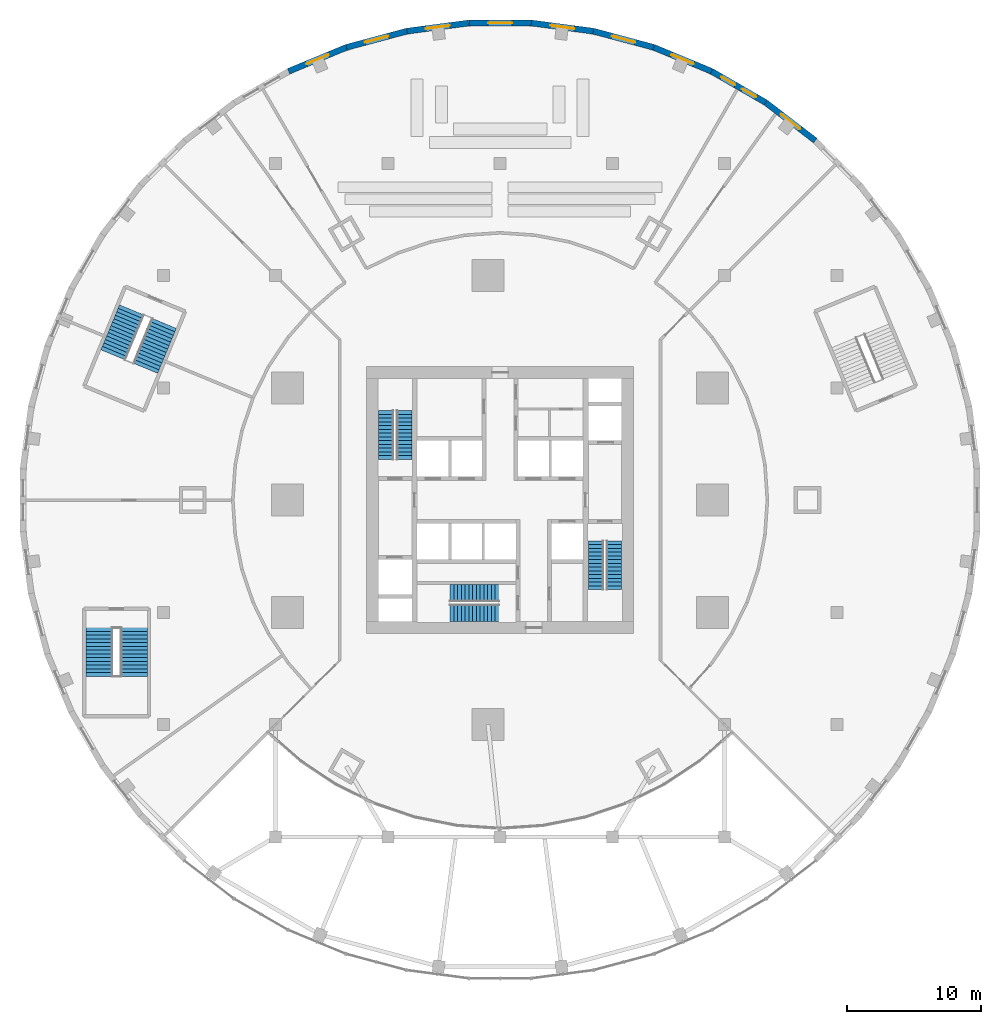
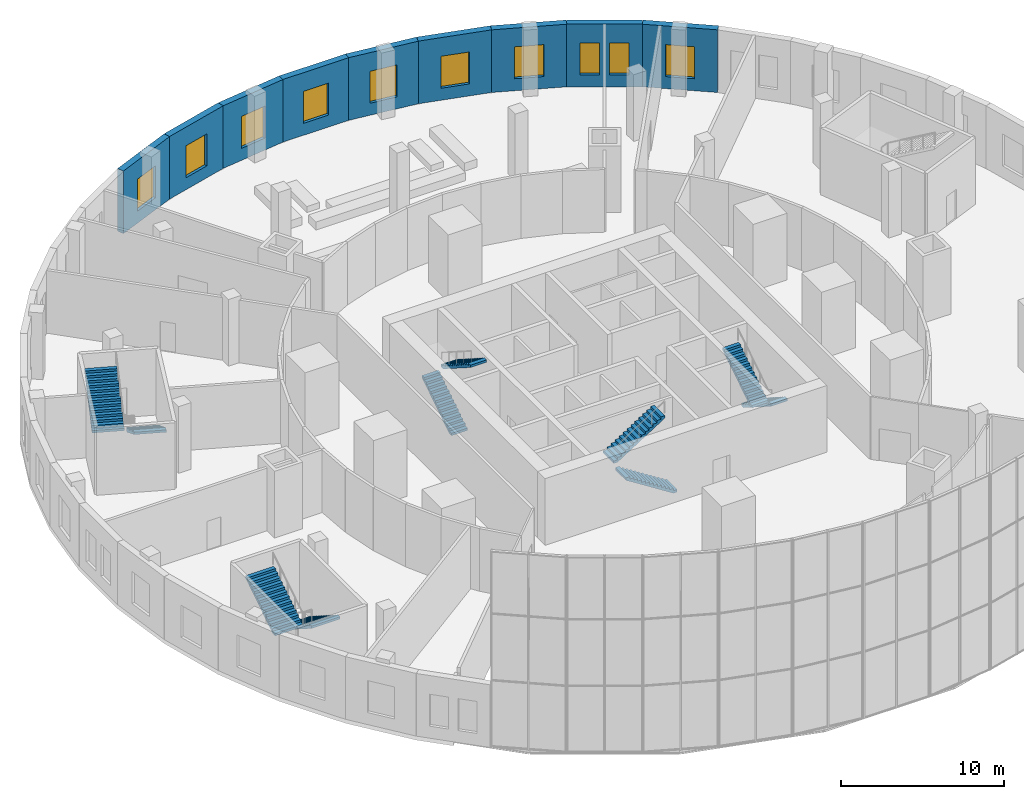
# One storey, part 12 of 17: 10 stair flights, 10 windows, 9 walls, 10 openings, 5 elements without a shape of their own.
"""IFC4 building model written with IfcOpenShell, lengths in metres."""

from ifc_helpers import new_model, si_unit, direction, frame, frame_2d, origin, place, context, subcontext, project, spatial, polyline, rectangle, outline, extrude, material, layer, layer_set, type_object, element, fill, aggregate, save


model = new_model("IFC4")

# Units and contexts
model_context = context("Model", 3, precision=1e-05, world=origin(), true_north=direction((0.0, 1.0)))
body_context = subcontext(model_context, "Body", "Model", "MODEL_VIEW")
ifc_project = project(units=[si_unit("LENGTHUNIT", "METRE"), si_unit("AREAUNIT", "SQUARE_METRE"), si_unit("VOLUMEUNIT", "CUBIC_METRE"), si_unit("PLANEANGLEUNIT", "RADIAN"), si_unit("MASSUNIT", "GRAM", prefix="KILO")], contexts=[model_context])

# Site, building, storey
site_placement = place(None, origin())
site = spatial("IfcSite", under=ifc_project, at=site_placement, CompositionType="ELEMENT")
building_placement = place(site_placement, origin())
building = spatial("IfcBuilding", under=site, at=building_placement, Name="Golbaran Civic Tower", CompositionType="ELEMENT")
storey_placement = place(building_placement, frame((0.0, 0.0, 6.0)))
storey = spatial("IfcBuildingStorey", under=building, at=storey_placement, Name="L01", CompositionType="ELEMENT", Elevation=6.0)

# Wall, opening, window
ifc_material_1 = material(Name="Terracotta brick", Category="masonry")
ifc_layer = layer(ifc_material_1, 0.449951171875, Name="Terracotta brick")
ifc_layer_set = layer_set([ifc_layer], Name="Terracotta brick")
wall_type = type_object("IfcWallType", Name="TERRACOTTA BRICK FACADE WALL 450", PredefinedType="SOLIDWALL", material=ifc_layer_set)
wall_1_placement = place(storey_placement, frame((23.588134765625, 26.89697265625, 0.0), z_axis=(0.0, 0.0, 1.0), x_axis=(-0.79334682721, 0.608769916927, 0.0)))
wall_1 = element("IfcWall", 1, at=wall_1_placement, inside=storey, type_object=wall_type, Name="Podium wall L01 facet 7", PredefinedType="SOLIDWALL", context=body_context, shape_type="SweptSolid", body=[
    extrude(rectangle(XDim=4.6796875, YDim=0.449951171875, at=frame_2d((2.33984375, 0.0))), origin(), (0.0, 0.0, 1.0), 4.699951171875),
])
opening_1_placement = place(wall_1_placement, frame((1.439697265625, 0.0, 0.89990234375)))
opening_1 = element("IfcOpeningElement", 2, at=opening_1_placement, cuts=wall_1, Name="Opening L01.W08", PredefinedType="OPENING", context=body_context, shape_type="SweptSolid", body=[
    extrude(rectangle(XDim=1.800048828125, YDim=2.39990234375, at=frame_2d((0.89990234375, 1.199951171875))), frame((0.0, 0.23486328125, 0.0), z_axis=(0.0, -1.0, 0.0), x_axis=(1.0, 0.0, 0.0)), (0.0, 0.0, 1.0), 0.469970703125),
])
ifc_material_2 = material(Name="Aluminium frame, clear glass", Category="aluminium")
window_type_1 = type_object("IfcWindowType", Name="PODIUM WINDOW 1800x2400", PartitioningType="SINGLE_PANEL", PredefinedType="WINDOW", material=ifc_material_2)
window_1_placement = place(opening_1_placement, origin())
window_1 = element("IfcWindow", 3, at=window_1_placement, inside=storey, type_object=window_type_1, Name="Podium window L01 facet 7", OverallHeight=2.39990234375, OverallWidth=1.800048828125, PartitioningType="SINGLE_PANEL", PredefinedType="WINDOW", context=body_context, shape_type="SweptSolid", body=[
    extrude(rectangle(XDim=1.800048828125, YDim=2.39990234375, at=frame_2d((0.89990234375, 1.199951171875))), frame((0.0, 0.030029296875, 0.0), z_axis=(0.0, -1.0, 0.0), x_axis=(1.0, 0.0, 0.0)), (0.0, 0.0, 1.0), 0.06005859375),
])
fill(opening_1, window_1)

# Wall, openings, windows
wall_2_placement = place(storey_placement, frame((19.87548828125, 29.745849609375, 0.0), z_axis=(0.0, 0.0, 1.0), x_axis=(-0.866012687223, 0.500022025083, 0.0)))
wall_2 = element("IfcWall", 4, at=wall_2_placement, inside=storey, type_object=wall_type, Name="Podium wall L01 facet 8", PredefinedType="SOLIDWALL", context=body_context, shape_type="SweptSolid", body=[
    extrude(rectangle(XDim=4.679443359375, YDim=0.449951171875, at=frame_2d((2.33984375, 0.0))), origin(), (0.0, 0.0, 1.0), 4.699951171875),
])
opening_2_placement = place(wall_2_placement, frame((0.840087890625, 0.0, 0.89990234375)))
opening_2 = element("IfcOpeningElement", 5, at=opening_2_placement, cuts=wall_2, Name="Opening L01.W09", PredefinedType="OPENING", context=body_context, shape_type="SweptSolid", body=[
    extrude(rectangle(XDim=1.199951171875, YDim=2.39990234375, at=frame_2d((0.60009765625, 1.199951171875))), frame((0.0, 0.23486328125, 0.0), z_axis=(0.0, -1.0, 0.0), x_axis=(1.0, 0.0, 0.0)), (0.0, 0.0, 1.0), 0.469970703125),
])
opening_3_placement = place(wall_2_placement, frame((2.639892578125, 0.0, 0.89990234375)))
opening_3 = element("IfcOpeningElement", 6, at=opening_3_placement, cuts=wall_2, Name="Opening L01.W10", PredefinedType="OPENING", context=body_context, shape_type="SweptSolid", body=[
    extrude(rectangle(XDim=1.199951171875, YDim=2.39990234375, at=frame_2d((0.60009765625, 1.199951171875))), frame((0.0, 0.23486328125, 0.0), z_axis=(0.0, -1.0, 0.0), x_axis=(1.0, 0.0, 0.0)), (0.0, 0.0, 1.0), 0.469970703125),
])
window_type_2 = type_object("IfcWindowType", Name="PODIUM PAIRED WINDOW 1200x2400", PartitioningType="SINGLE_PANEL", PredefinedType="WINDOW", material=ifc_material_2)
window_2_placement = place(opening_2_placement, origin())
window_2 = element("IfcWindow", 7, at=window_2_placement, inside=storey, type_object=window_type_2, Name="Podium window L01 facet 8a", OverallHeight=2.39990234375, OverallWidth=1.199951171875, PartitioningType="SINGLE_PANEL", PredefinedType="WINDOW", context=body_context, shape_type="SweptSolid", body=[
    extrude(rectangle(XDim=1.199951171875, YDim=2.39990234375, at=frame_2d((0.60009765625, 1.199951171875))), frame((0.0, 0.030029296875, 0.0), z_axis=(0.0, -1.0, 0.0), x_axis=(1.0, 0.0, 0.0)), (0.0, 0.0, 1.0), 0.06005859375),
])
fill(opening_2, window_2)
window_3_placement = place(opening_3_placement, origin())
window_3 = element("IfcWindow", 8, at=window_3_placement, inside=storey, type_object=window_type_2, Name="Podium window L01 facet 8b", OverallHeight=2.39990234375, OverallWidth=1.199951171875, PartitioningType="SINGLE_PANEL", PredefinedType="WINDOW", context=body_context, shape_type="SweptSolid", body=[
    extrude(rectangle(XDim=1.199951171875, YDim=2.39990234375, at=frame_2d((0.60009765625, 1.199951171875))), frame((0.0, 0.030029296875, 0.0), z_axis=(0.0, -1.0, 0.0), x_axis=(1.0, 0.0, 0.0)), (0.0, 0.0, 1.0), 0.06005859375),
])
fill(opening_3, window_3)

# Wall, opening, window
wall_3_placement = place(storey_placement, frame((15.822998046875, 32.085693359375, 0.0), z_axis=(0.0, 0.0, 1.0), x_axis=(-0.923885213032, 0.382669718086, 0.0)))
wall_3 = element("IfcWall", 9, at=wall_3_placement, inside=storey, type_object=wall_type, Name="Podium wall L01 facet 9", PredefinedType="SOLIDWALL", context=body_context, shape_type="SweptSolid", body=[
    extrude(rectangle(XDim=4.6796875, YDim=0.449951171875, at=frame_2d((2.33984375, 0.0))), origin(), (0.0, 0.0, 1.0), 4.699951171875),
])
opening_4_placement = place(wall_3_placement, frame((1.439697265625, 0.0, 0.89990234375)))
opening_4 = element("IfcOpeningElement", 10, at=opening_4_placement, cuts=wall_3, Name="Opening L01.W11", PredefinedType="OPENING", context=body_context, shape_type="SweptSolid", body=[
    extrude(rectangle(XDim=1.800048828125, YDim=2.39990234375, at=frame_2d((0.89990234375, 1.199951171875))), frame((0.0, 0.23486328125, 0.0), z_axis=(0.0, -1.0, 0.0), x_axis=(1.0, 0.0, 0.0)), (0.0, 0.0, 1.0), 0.469970703125),
])
window_4_placement = place(opening_4_placement, origin())
window_4 = element("IfcWindow", 11, at=window_4_placement, inside=storey, type_object=window_type_1, Name="Podium window L01 facet 9", OverallHeight=2.39990234375, OverallWidth=1.800048828125, PartitioningType="SINGLE_PANEL", PredefinedType="WINDOW", context=body_context, shape_type="SweptSolid", body=[
    extrude(rectangle(XDim=1.800048828125, YDim=2.39990234375, at=frame_2d((0.89990234375, 1.199951171875))), frame((0.0, 0.030029296875, 0.0), z_axis=(0.0, -1.0, 0.0), x_axis=(1.0, 0.0, 0.0)), (0.0, 0.0, 1.0), 0.06005859375),
])
fill(opening_4, window_4)

wall_4_placement = place(storey_placement, frame((11.49951171875, 33.87646484375, 0.0), z_axis=(0.0, 0.0, 1.0), x_axis=(-0.965926860523, 0.258815185258, 0.0)))
wall_4 = element("IfcWall", 12, at=wall_4_placement, inside=storey, type_object=wall_type, Name="Podium wall L01 facet 10", PredefinedType="SOLIDWALL", context=body_context, shape_type="SweptSolid", body=[
    extrude(rectangle(XDim=4.6796875, YDim=0.449951171875, at=frame_2d((2.33984375, 0.0))), origin(), (0.0, 0.0, 1.0), 4.699951171875),
])
opening_5_placement = place(wall_4_placement, frame((1.439697265625, 0.0, 0.89990234375)))
opening_5 = element("IfcOpeningElement", 13, at=opening_5_placement, cuts=wall_4, Name="Opening L01.W12", PredefinedType="OPENING", context=body_context, shape_type="SweptSolid", body=[
    extrude(rectangle(XDim=1.800048828125, YDim=2.39990234375, at=frame_2d((0.89990234375, 1.199951171875))), frame((0.0, 0.23486328125, 0.0), z_axis=(0.0, -1.0, 0.0), x_axis=(1.0, 0.0, 0.0)), (0.0, 0.0, 1.0), 0.469970703125),
])
window_5_placement = place(opening_5_placement, origin())
window_5 = element("IfcWindow", 14, at=window_5_placement, inside=storey, type_object=window_type_1, Name="Podium window L01 facet 10", OverallHeight=2.39990234375, OverallWidth=1.800048828125, PartitioningType="SINGLE_PANEL", PredefinedType="WINDOW", context=body_context, shape_type="SweptSolid", body=[
    extrude(rectangle(XDim=1.800048828125, YDim=2.39990234375, at=frame_2d((0.89990234375, 1.199951171875))), frame((0.0, 0.030029296875, 0.0), z_axis=(0.0, -1.0, 0.0), x_axis=(1.0, 0.0, 0.0)), (0.0, 0.0, 1.0), 0.06005859375),
])
fill(opening_5, window_5)

wall_5_placement = place(storey_placement, frame((6.979248046875, 35.087646484375, 0.0), z_axis=(0.0, 0.0, 1.0), x_axis=(-0.991443459746, 0.130536838198, 0.0)))
wall_5 = element("IfcWall", 15, at=wall_5_placement, inside=storey, type_object=wall_type, Name="Podium wall L01 facet 11", PredefinedType="SOLIDWALL", context=body_context, shape_type="SweptSolid", body=[
    extrude(rectangle(XDim=4.679443359375, YDim=0.449951171875, at=frame_2d((2.33984375, 0.0))), origin(), (0.0, 0.0, 1.0), 4.699951171875),
])
opening_6_placement = place(wall_5_placement, frame((1.439697265625, 0.0, 0.89990234375)))
opening_6 = element("IfcOpeningElement", 16, at=opening_6_placement, cuts=wall_5, Name="Opening L01.W13", PredefinedType="OPENING", context=body_context, shape_type="SweptSolid", body=[
    extrude(rectangle(XDim=1.800048828125, YDim=2.39990234375, at=frame_2d((0.89990234375, 1.199951171875))), frame((0.0, 0.23486328125, 0.0), z_axis=(0.0, -1.0, 0.0), x_axis=(1.0, 0.0, 0.0)), (0.0, 0.0, 1.0), 0.469970703125),
])
window_6_placement = place(opening_6_placement, origin())
window_6 = element("IfcWindow", 17, at=window_6_placement, inside=storey, type_object=window_type_1, Name="Podium window L01 facet 11", OverallHeight=2.39990234375, OverallWidth=1.800048828125, PartitioningType="SINGLE_PANEL", PredefinedType="WINDOW", context=body_context, shape_type="SweptSolid", body=[
    extrude(rectangle(XDim=1.800048828125, YDim=2.39990234375, at=frame_2d((0.89990234375, 1.199951171875))), frame((0.0, 0.030029296875, 0.0), z_axis=(0.0, -1.0, 0.0), x_axis=(1.0, 0.0, 0.0)), (0.0, 0.0, 1.0), 0.06005859375),
])
fill(opening_6, window_6)

wall_6_placement = place(storey_placement, frame((2.33984375, 35.698486328125, 0.0), z_axis=(0.0, 0.0, 1.0), x_axis=(-1.0, 0.0, 0.0)))
wall_6 = element("IfcWall", 18, at=wall_6_placement, inside=storey, type_object=wall_type, Name="Podium wall L01 facet 12", PredefinedType="SOLIDWALL", context=body_context, shape_type="SweptSolid", body=[
    extrude(rectangle(XDim=4.6796875, YDim=0.449951171875, at=frame_2d((2.33984375, 0.0))), origin(), (0.0, 0.0, 1.0), 4.699951171875),
])
opening_7_placement = place(wall_6_placement, frame((1.439697265625, 0.0, 0.89990234375)))
opening_7 = element("IfcOpeningElement", 19, at=opening_7_placement, cuts=wall_6, Name="Opening L01.W14", PredefinedType="OPENING", context=body_context, shape_type="SweptSolid", body=[
    extrude(rectangle(XDim=1.800048828125, YDim=2.39990234375, at=frame_2d((0.89990234375, 1.199951171875))), frame((0.0, 0.23486328125, 0.0), z_axis=(0.0, -1.0, 0.0), x_axis=(1.0, 0.0, 0.0)), (0.0, 0.0, 1.0), 0.469970703125),
])
window_7_placement = place(opening_7_placement, origin())
window_7 = element("IfcWindow", 20, at=window_7_placement, inside=storey, type_object=window_type_1, Name="Podium window L01 facet 12", OverallHeight=2.39990234375, OverallWidth=1.800048828125, PartitioningType="SINGLE_PANEL", PredefinedType="WINDOW", context=body_context, shape_type="SweptSolid", body=[
    extrude(rectangle(XDim=1.800048828125, YDim=2.39990234375, at=frame_2d((0.89990234375, 1.199951171875))), frame((0.0, 0.030029296875, 0.0), z_axis=(0.0, -1.0, 0.0), x_axis=(1.0, 0.0, 0.0)), (0.0, 0.0, 1.0), 0.06005859375),
])
fill(opening_7, window_7)

wall_7_placement = place(storey_placement, frame((-2.33984375, 35.698486328125, 0.0), z_axis=(0.0, 0.0, 1.0), x_axis=(-0.991443459746, -0.130536838198, 0.0)))
wall_7 = element("IfcWall", 21, at=wall_7_placement, inside=storey, type_object=wall_type, Name="Podium wall L01 facet 13", PredefinedType="SOLIDWALL", context=body_context, shape_type="SweptSolid", body=[
    extrude(rectangle(XDim=4.679443359375, YDim=0.449951171875, at=frame_2d((2.33984375, 0.0))), origin(), (0.0, 0.0, 1.0), 4.699951171875),
])
opening_8_placement = place(wall_7_placement, frame((1.439697265625, 0.0, 0.89990234375)))
opening_8 = element("IfcOpeningElement", 22, at=opening_8_placement, cuts=wall_7, Name="Opening L01.W15", PredefinedType="OPENING", context=body_context, shape_type="SweptSolid", body=[
    extrude(rectangle(XDim=1.800048828125, YDim=2.39990234375, at=frame_2d((0.89990234375, 1.199951171875))), frame((0.0, 0.23486328125, 0.0), z_axis=(0.0, -1.0, 0.0), x_axis=(1.0, 0.0, 0.0)), (0.0, 0.0, 1.0), 0.469970703125),
])
window_8_placement = place(opening_8_placement, origin())
window_8 = element("IfcWindow", 23, at=window_8_placement, inside=storey, type_object=window_type_1, Name="Podium window L01 facet 13", OverallHeight=2.39990234375, OverallWidth=1.800048828125, PartitioningType="SINGLE_PANEL", PredefinedType="WINDOW", context=body_context, shape_type="SweptSolid", body=[
    extrude(rectangle(XDim=1.800048828125, YDim=2.39990234375, at=frame_2d((0.89990234375, 1.199951171875))), frame((0.0, 0.030029296875, 0.0), z_axis=(0.0, -1.0, 0.0), x_axis=(1.0, 0.0, 0.0)), (0.0, 0.0, 1.0), 0.06005859375),
])
fill(opening_8, window_8)

wall_8_placement = place(storey_placement, frame((-6.979248046875, 35.087646484375, 0.0), z_axis=(0.0, 0.0, 1.0), x_axis=(-0.965926860523, -0.258815185258, 0.0)))
wall_8 = element("IfcWall", 24, at=wall_8_placement, inside=storey, type_object=wall_type, Name="Podium wall L01 facet 14", PredefinedType="SOLIDWALL", context=body_context, shape_type="SweptSolid", body=[
    extrude(rectangle(XDim=4.6796875, YDim=0.449951171875, at=frame_2d((2.33984375, 0.0))), origin(), (0.0, 0.0, 1.0), 4.699951171875),
])
opening_9_placement = place(wall_8_placement, frame((1.439697265625, 0.0, 0.89990234375)))
opening_9 = element("IfcOpeningElement", 25, at=opening_9_placement, cuts=wall_8, Name="Opening L01.W16", PredefinedType="OPENING", context=body_context, shape_type="SweptSolid", body=[
    extrude(rectangle(XDim=1.800048828125, YDim=2.39990234375, at=frame_2d((0.89990234375, 1.199951171875))), frame((0.0, 0.23486328125, 0.0), z_axis=(0.0, -1.0, 0.0), x_axis=(1.0, 0.0, 0.0)), (0.0, 0.0, 1.0), 0.469970703125),
])
window_9_placement = place(opening_9_placement, origin())
window_9 = element("IfcWindow", 26, at=window_9_placement, inside=storey, type_object=window_type_1, Name="Podium window L01 facet 14", OverallHeight=2.39990234375, OverallWidth=1.800048828125, PartitioningType="SINGLE_PANEL", PredefinedType="WINDOW", context=body_context, shape_type="SweptSolid", body=[
    extrude(rectangle(XDim=1.800048828125, YDim=2.39990234375, at=frame_2d((0.89990234375, 1.199951171875))), frame((0.0, 0.030029296875, 0.0), z_axis=(0.0, -1.0, 0.0), x_axis=(1.0, 0.0, 0.0)), (0.0, 0.0, 1.0), 0.06005859375),
])
fill(opening_9, window_9)

wall_9_placement = place(storey_placement, frame((-11.49951171875, 33.87646484375, 0.0), z_axis=(0.0, 0.0, 1.0), x_axis=(-0.923885213032, -0.382669718086, 0.0)))
wall_9 = element("IfcWall", 27, at=wall_9_placement, inside=storey, type_object=wall_type, Name="Podium wall L01 facet 15", PredefinedType="SOLIDWALL", context=body_context, shape_type="SweptSolid", body=[
    extrude(rectangle(XDim=4.6796875, YDim=0.449951171875, at=frame_2d((2.33984375, 0.0))), origin(), (0.0, 0.0, 1.0), 4.699951171875),
])
opening_10_placement = place(wall_9_placement, frame((1.439697265625, 0.0, 0.89990234375)))
opening_10 = element("IfcOpeningElement", 28, at=opening_10_placement, cuts=wall_9, Name="Opening L01.W17", PredefinedType="OPENING", context=body_context, shape_type="SweptSolid", body=[
    extrude(rectangle(XDim=1.800048828125, YDim=2.39990234375, at=frame_2d((0.89990234375, 1.199951171875))), frame((0.0, 0.23486328125, 0.0), z_axis=(0.0, -1.0, 0.0), x_axis=(1.0, 0.0, 0.0)), (0.0, 0.0, 1.0), 0.469970703125),
])
window_10_placement = place(opening_10_placement, origin())
window_10 = element("IfcWindow", 29, at=window_10_placement, inside=storey, type_object=window_type_1, Name="Podium window L01 facet 15", OverallHeight=2.39990234375, OverallWidth=1.800048828125, PartitioningType="SINGLE_PANEL", PredefinedType="WINDOW", context=body_context, shape_type="SweptSolid", body=[
    extrude(rectangle(XDim=1.800048828125, YDim=2.39990234375, at=frame_2d((0.89990234375, 1.199951171875))), frame((0.0, 0.030029296875, 0.0), z_axis=(0.0, -1.0, 0.0), x_axis=(1.0, 0.0, 0.0)), (0.0, 0.0, 1.0), 0.06005859375),
])
fill(opening_10, window_10)

# Stair, stair flights
ifc_material_3 = material(Name="Concrete C35/45", Category="concrete")
stair_type_1 = type_object("IfcStairType", Name="EXIT STAIR 2500 x 7350, 5000 RISE", PredefinedType="HALF_TURN_STAIR", material=ifc_material_3)
stair_1_placement = place(storey_placement, origin())
stair_1 = element("IfcStair", 30, at=stair_1_placement, inside=storey, type_object=stair_type_1, Name="Stair S1 L01", PredefinedType="HALF_TURN_STAIR")
stair_flight_type_1 = type_object("IfcStairFlightType", Name="STAIR FLIGHT 1150 WIDE", PredefinedType="STRAIGHT", material=ifc_material_3)
stair_flight_1_placement = place(storey_placement, frame((-8.52490234375, 3.050048828125, 0.0), z_axis=(0.0, 0.0, 1.0), x_axis=(0.0, 1.0, 0.0)))
stair_flight_1 = element("IfcStairFlight", 31, at=stair_flight_1_placement, type_object=stair_flight_type_1, Name="ST25074-50 flight 1", NumberOfRisers=14, NumberOfTreads=13, PredefinedType="STRAIGHT", RiserHeight=0.178571429, TreadLength=0.28, context=body_context, shape_type="SweptSolid", body=[
    extrude(outline(polyline([(0.0, 0.0), (0.0, 0.178466796875), (0.280029296875, 0.178466796875), (0.280029296875, 0.357177734375), (0.56005859375, 0.357177734375), (0.56005859375, 0.53564453125), (0.840087890625, 0.53564453125), (0.840087890625, 0.71435546875), (1.1201171875, 0.71435546875), (1.1201171875, 0.892822265625), (1.39990234375, 0.892822265625), (1.39990234375, 1.071533203125), (1.679931640625, 1.071533203125), (1.679931640625, 1.25), (1.9599609375, 1.25), (1.9599609375, 1.428466796875), (2.239990234375, 1.428466796875), (2.239990234375, 1.607177734375), (2.52001953125, 1.607177734375), (2.52001953125, 1.78564453125), (2.800048828125, 1.78564453125), (2.800048828125, 1.96435546875), (3.080078125, 1.96435546875), (3.080078125, 2.142822265625), (3.360107421875, 2.142822265625), (3.360107421875, 2.321533203125), (3.639892578125, 2.321533203125), (3.639892578125, 2.5), (3.639892578125, 2.1435546875), (0.27880859375, 0.0), (0.0, 0.0)])), frame((0.0, 0.574951171875, 0.0), z_axis=(0.0, -1.0, 0.0), x_axis=(1.0, 0.0, 0.0)), (0.0, 0.0, 1.0), 1.14990234375),
])
stair_flight_2_placement = place(storey_placement, frame((-7.175048828125, 6.68994140625, 2.5), z_axis=(0.0, 0.0, 1.0), x_axis=(0.0, -1.0, 0.0)))
stair_flight_2 = element("IfcStairFlight", 32, at=stair_flight_2_placement, type_object=stair_flight_type_1, Name="ST25074-50 flight 2", NumberOfRisers=14, NumberOfTreads=13, PredefinedType="STRAIGHT", RiserHeight=0.178571429, TreadLength=0.28, context=body_context, shape_type="SweptSolid", body=[
    extrude(outline(polyline([(0.0, 0.0), (0.0, 0.178466796875), (0.280029296875, 0.178466796875), (0.280029296875, 0.357177734375), (0.56005859375, 0.357177734375), (0.56005859375, 0.53564453125), (0.840087890625, 0.53564453125), (0.840087890625, 0.71435546875), (1.1201171875, 0.71435546875), (1.1201171875, 0.892822265625), (1.39990234375, 0.892822265625), (1.39990234375, 1.071533203125), (1.679931640625, 1.071533203125), (1.679931640625, 1.25), (1.9599609375, 1.25), (1.9599609375, 1.428466796875), (2.239990234375, 1.428466796875), (2.239990234375, 1.607177734375), (2.52001953125, 1.607177734375), (2.52001953125, 1.78564453125), (2.800048828125, 1.78564453125), (2.800048828125, 1.96435546875), (3.080078125, 1.96435546875), (3.080078125, 2.142822265625), (3.360107421875, 2.142822265625), (3.360107421875, 2.321533203125), (3.639892578125, 2.321533203125), (3.639892578125, 2.5), (3.639892578125, 2.1435546875), (0.27880859375, 0.0), (0.0, 0.0)])), frame((0.0, 0.574951171875, 0.0), z_axis=(0.0, -1.0, 0.0), x_axis=(1.0, 0.0, 0.0)), (0.0, 0.0, 1.0), 1.14990234375),
])
aggregate(stair_1, [stair_flight_1, stair_flight_2])

stair_2_placement = place(storey_placement, origin())
stair_2 = element("IfcStair", 33, at=stair_2_placement, inside=storey, type_object=stair_type_1, Name="Stair S2 L01", PredefinedType="HALF_TURN_STAIR")
stair_flight_3_placement = place(storey_placement, frame((8.52490234375, -3.050048828125, 0.0), z_axis=(0.0, 0.0, 1.0), x_axis=(0.0, -1.0, 0.0)))
stair_flight_3 = element("IfcStairFlight", 34, at=stair_flight_3_placement, type_object=stair_flight_type_1, Name="ST25074-50 flight 1", NumberOfRisers=14, NumberOfTreads=13, PredefinedType="STRAIGHT", RiserHeight=0.178571429, TreadLength=0.28, context=body_context, shape_type="SweptSolid", body=[
    extrude(outline(polyline([(0.0, 0.0), (0.0, 0.178466796875), (0.280029296875, 0.178466796875), (0.280029296875, 0.357177734375), (0.56005859375, 0.357177734375), (0.56005859375, 0.53564453125), (0.840087890625, 0.53564453125), (0.840087890625, 0.71435546875), (1.1201171875, 0.71435546875), (1.1201171875, 0.892822265625), (1.39990234375, 0.892822265625), (1.39990234375, 1.071533203125), (1.679931640625, 1.071533203125), (1.679931640625, 1.25), (1.9599609375, 1.25), (1.9599609375, 1.428466796875), (2.239990234375, 1.428466796875), (2.239990234375, 1.607177734375), (2.52001953125, 1.607177734375), (2.52001953125, 1.78564453125), (2.800048828125, 1.78564453125), (2.800048828125, 1.96435546875), (3.080078125, 1.96435546875), (3.080078125, 2.142822265625), (3.360107421875, 2.142822265625), (3.360107421875, 2.321533203125), (3.639892578125, 2.321533203125), (3.639892578125, 2.5), (3.639892578125, 2.1435546875), (0.27880859375, 0.0), (0.0, 0.0)])), frame((0.0, 0.574951171875, 0.0), z_axis=(0.0, -1.0, 0.0), x_axis=(1.0, 0.0, 0.0)), (0.0, 0.0, 1.0), 1.14990234375),
])
stair_flight_4_placement = place(storey_placement, frame((7.175048828125, -6.68994140625, 2.5), z_axis=(0.0, 0.0, 1.0), x_axis=(0.0, 1.0, 0.0)))
stair_flight_4 = element("IfcStairFlight", 35, at=stair_flight_4_placement, type_object=stair_flight_type_1, Name="ST25074-50 flight 2", NumberOfRisers=14, NumberOfTreads=13, PredefinedType="STRAIGHT", RiserHeight=0.178571429, TreadLength=0.28, context=body_context, shape_type="SweptSolid", body=[
    extrude(outline(polyline([(0.0, 0.0), (0.0, 0.178466796875), (0.280029296875, 0.178466796875), (0.280029296875, 0.357177734375), (0.56005859375, 0.357177734375), (0.56005859375, 0.53564453125), (0.840087890625, 0.53564453125), (0.840087890625, 0.71435546875), (1.1201171875, 0.71435546875), (1.1201171875, 0.892822265625), (1.39990234375, 0.892822265625), (1.39990234375, 1.071533203125), (1.679931640625, 1.071533203125), (1.679931640625, 1.25), (1.9599609375, 1.25), (1.9599609375, 1.428466796875), (2.239990234375, 1.428466796875), (2.239990234375, 1.607177734375), (2.52001953125, 1.607177734375), (2.52001953125, 1.78564453125), (2.800048828125, 1.78564453125), (2.800048828125, 1.96435546875), (3.080078125, 1.96435546875), (3.080078125, 2.142822265625), (3.360107421875, 2.142822265625), (3.360107421875, 2.321533203125), (3.639892578125, 2.321533203125), (3.639892578125, 2.5), (3.639892578125, 2.1435546875), (0.27880859375, 0.0), (0.0, 0.0)])), frame((0.0, 0.574951171875, 0.0), z_axis=(0.0, -1.0, 0.0), x_axis=(1.0, 0.0, 0.0)), (0.0, 0.0, 1.0), 1.14990234375),
])
aggregate(stair_2, [stair_flight_3, stair_flight_4])

stair_type_2 = type_object("IfcStairType", Name="EXIT STAIR 2800 x 7400, 5000 RISE", PredefinedType="HALF_TURN_STAIR", material=ifc_material_3)
stair_3_placement = place(storey_placement, origin())
stair_3 = element("IfcStair", 36, at=stair_3_placement, inside=storey, type_object=stair_type_2, Name="Stair S3 L01", PredefinedType="HALF_TURN_STAIR")
stair_flight_type_2 = type_object("IfcStairFlightType", Name="STAIR FLIGHT 1300 WIDE", PredefinedType="STRAIGHT", material=ifc_material_3)
stair_flight_5_placement = place(storey_placement, frame((-0.10009765625, -8.449951171875, 0.0), z_axis=(0.0, 0.0, 1.0), x_axis=(-1.0, 0.0, 0.0)))
stair_flight_5 = element("IfcStairFlight", 37, at=stair_flight_5_placement, type_object=stair_flight_type_2, Name="ST28074-50 flight 1", NumberOfRisers=14, NumberOfTreads=13, PredefinedType="STRAIGHT", RiserHeight=0.178571429, TreadLength=0.28, context=body_context, shape_type="SweptSolid", body=[
    extrude(outline(polyline([(0.0, 0.0), (0.0, 0.178466796875), (0.280029296875, 0.178466796875), (0.280029296875, 0.357177734375), (0.56005859375, 0.357177734375), (0.56005859375, 0.53564453125), (0.840087890625, 0.53564453125), (0.840087890625, 0.71435546875), (1.1201171875, 0.71435546875), (1.1201171875, 0.892822265625), (1.39990234375, 0.892822265625), (1.39990234375, 1.071533203125), (1.679931640625, 1.071533203125), (1.679931640625, 1.25), (1.9599609375, 1.25), (1.9599609375, 1.428466796875), (2.239990234375, 1.428466796875), (2.239990234375, 1.607177734375), (2.52001953125, 1.607177734375), (2.52001953125, 1.78564453125), (2.800048828125, 1.78564453125), (2.800048828125, 1.96435546875), (3.080078125, 1.96435546875), (3.080078125, 2.142822265625), (3.360107421875, 2.142822265625), (3.360107421875, 2.321533203125), (3.639892578125, 2.321533203125), (3.639892578125, 2.5), (3.639892578125, 2.1435546875), (0.27880859375, 0.0), (0.0, 0.0)])), frame((0.0, 0.64990234375, 0.0), z_axis=(0.0, -1.0, 0.0), x_axis=(1.0, 0.0, 0.0)), (0.0, 0.0, 1.0), 1.300048828125),
])
stair_flight_6_placement = place(storey_placement, frame((-3.739990234375, -6.949951171875, 2.5), z_axis=(0.0, 0.0, 1.0), x_axis=(1.0, 0.0, 0.0)))
stair_flight_6 = element("IfcStairFlight", 38, at=stair_flight_6_placement, type_object=stair_flight_type_2, Name="ST28074-50 flight 2", NumberOfRisers=14, NumberOfTreads=13, PredefinedType="STRAIGHT", RiserHeight=0.178571429, TreadLength=0.28, context=body_context, shape_type="SweptSolid", body=[
    extrude(outline(polyline([(0.0, 0.0), (0.0, 0.178466796875), (0.280029296875, 0.178466796875), (0.280029296875, 0.357177734375), (0.56005859375, 0.357177734375), (0.56005859375, 0.53564453125), (0.840087890625, 0.53564453125), (0.840087890625, 0.71435546875), (1.1201171875, 0.71435546875), (1.1201171875, 0.892822265625), (1.39990234375, 0.892822265625), (1.39990234375, 1.071533203125), (1.679931640625, 1.071533203125), (1.679931640625, 1.25), (1.9599609375, 1.25), (1.9599609375, 1.428466796875), (2.239990234375, 1.428466796875), (2.239990234375, 1.607177734375), (2.52001953125, 1.607177734375), (2.52001953125, 1.78564453125), (2.800048828125, 1.78564453125), (2.800048828125, 1.96435546875), (3.080078125, 1.96435546875), (3.080078125, 2.142822265625), (3.360107421875, 2.142822265625), (3.360107421875, 2.321533203125), (3.639892578125, 2.321533203125), (3.639892578125, 2.5), (3.639892578125, 2.1435546875), (0.27880859375, 0.0), (0.0, 0.0)])), frame((0.0, 0.64990234375, 0.0), z_axis=(0.0, -1.0, 0.0), x_axis=(1.0, 0.0, 0.0)), (0.0, 0.0, 1.0), 1.300048828125),
])
aggregate(stair_3, [stair_flight_5, stair_flight_6])

stair_type_3 = type_object("IfcStairType", Name="EXIT STAIR 4600 x 7800, 5000 RISE", PredefinedType="HALF_TURN_STAIR", material=ifc_material_3)
stair_4_placement = place(storey_placement, origin())
stair_4 = element("IfcStair", 39, at=stair_4_placement, inside=storey, type_object=stair_type_3, Name="Stair P2 L01", PredefinedType="HALF_TURN_STAIR")
stair_flight_type_3 = type_object("IfcStairFlightType", Name="STAIR FLIGHT 2000 WIDE", PredefinedType="STRAIGHT", material=ifc_material_3)
stair_flight_7_placement = place(storey_placement, frame((-25.15087890625, 13.23193359375, 0.0), z_axis=(0.0, 0.0, 1.0), x_axis=(-0.382683432365, -0.923879532511, 0.0)))
stair_flight_7 = element("IfcStairFlight", 40, at=stair_flight_7_placement, type_object=stair_flight_type_3, Name="ST46078-50 flight 1", NumberOfRisers=14, NumberOfTreads=13, PredefinedType="STRAIGHT", RiserHeight=0.178571429, TreadLength=0.28, context=body_context, shape_type="SweptSolid", body=[
    extrude(outline(polyline([(0.0, 0.0), (0.0, 0.178466796875), (0.280029296875, 0.178466796875), (0.280029296875, 0.357177734375), (0.56005859375, 0.357177734375), (0.56005859375, 0.53564453125), (0.840087890625, 0.53564453125), (0.840087890625, 0.71435546875), (1.1201171875, 0.71435546875), (1.1201171875, 0.892822265625), (1.39990234375, 0.892822265625), (1.39990234375, 1.071533203125), (1.679931640625, 1.071533203125), (1.679931640625, 1.25), (1.9599609375, 1.25), (1.9599609375, 1.428466796875), (2.239990234375, 1.428466796875), (2.239990234375, 1.607177734375), (2.52001953125, 1.607177734375), (2.52001953125, 1.78564453125), (2.800048828125, 1.78564453125), (2.800048828125, 1.96435546875), (3.080078125, 1.96435546875), (3.080078125, 2.142822265625), (3.360107421875, 2.142822265625), (3.360107421875, 2.321533203125), (3.639892578125, 2.321533203125), (3.639892578125, 2.5), (3.639892578125, 2.1435546875), (0.27880859375, 0.0), (0.0, 0.0)])), frame((0.0, 1.0, 0.0), z_axis=(0.0, -1.0, 0.0), x_axis=(1.0, 0.0, 0.0)), (0.0, 0.0, 1.0), 2.0),
])
stair_flight_8_placement = place(storey_placement, frame((-28.94580078125, 10.864013671875, 2.5), z_axis=(0.0, 0.0, 1.0), x_axis=(0.382683432365, 0.923879532511, 0.0)))
stair_flight_8 = element("IfcStairFlight", 41, at=stair_flight_8_placement, type_object=stair_flight_type_3, Name="ST46078-50 flight 2", NumberOfRisers=14, NumberOfTreads=13, PredefinedType="STRAIGHT", RiserHeight=0.178571429, TreadLength=0.28, context=body_context, shape_type="SweptSolid", body=[
    extrude(outline(polyline([(0.0, 0.0), (0.0, 0.178466796875), (0.280029296875, 0.178466796875), (0.280029296875, 0.357177734375), (0.56005859375, 0.357177734375), (0.56005859375, 0.53564453125), (0.840087890625, 0.53564453125), (0.840087890625, 0.71435546875), (1.1201171875, 0.71435546875), (1.1201171875, 0.892822265625), (1.39990234375, 0.892822265625), (1.39990234375, 1.071533203125), (1.679931640625, 1.071533203125), (1.679931640625, 1.25), (1.9599609375, 1.25), (1.9599609375, 1.428466796875), (2.239990234375, 1.428466796875), (2.239990234375, 1.607177734375), (2.52001953125, 1.607177734375), (2.52001953125, 1.78564453125), (2.800048828125, 1.78564453125), (2.800048828125, 1.96435546875), (3.080078125, 1.96435546875), (3.080078125, 2.142822265625), (3.360107421875, 2.142822265625), (3.360107421875, 2.321533203125), (3.639892578125, 2.321533203125), (3.639892578125, 2.5), (3.639892578125, 2.1435546875), (0.27880859375, 0.0), (0.0, 0.0)])), frame((0.0, 1.0, 0.0), z_axis=(0.0, -1.0, 0.0), x_axis=(1.0, 0.0, 0.0)), (0.0, 0.0, 1.0), 2.0),
])
aggregate(stair_4, [stair_flight_7, stair_flight_8])

stair_5_placement = place(storey_placement, origin())
stair_5 = element("IfcStair", 42, at=stair_5_placement, inside=storey, type_object=stair_type_3, Name="Stair P3 L01", PredefinedType="HALF_TURN_STAIR")
stair_flight_9_placement = place(storey_placement, frame((-27.39990234375, -9.550048828125, 0.0), z_axis=(0.0, 0.0, 1.0), x_axis=(0.0, -1.0, 0.0)))
stair_flight_9 = element("IfcStairFlight", 43, at=stair_flight_9_placement, type_object=stair_flight_type_3, Name="ST46078-50 flight 1", NumberOfRisers=14, NumberOfTreads=13, PredefinedType="STRAIGHT", RiserHeight=0.178571429, TreadLength=0.28, context=body_context, shape_type="SweptSolid", body=[
    extrude(outline(polyline([(0.0, 0.0), (0.0, 0.178466796875), (0.280029296875, 0.178466796875), (0.280029296875, 0.357177734375), (0.56005859375, 0.357177734375), (0.56005859375, 0.53564453125), (0.840087890625, 0.53564453125), (0.840087890625, 0.71435546875), (1.1201171875, 0.71435546875), (1.1201171875, 0.892822265625), (1.39990234375, 0.892822265625), (1.39990234375, 1.071533203125), (1.679931640625, 1.071533203125), (1.679931640625, 1.25), (1.9599609375, 1.25), (1.9599609375, 1.428466796875), (2.239990234375, 1.428466796875), (2.239990234375, 1.607177734375), (2.52001953125, 1.607177734375), (2.52001953125, 1.78564453125), (2.800048828125, 1.78564453125), (2.800048828125, 1.96435546875), (3.080078125, 1.96435546875), (3.080078125, 2.142822265625), (3.360107421875, 2.142822265625), (3.360107421875, 2.321533203125), (3.639892578125, 2.321533203125), (3.639892578125, 2.5), (3.639892578125, 2.1435546875), (0.27880859375, 0.0), (0.0, 0.0)])), frame((0.0, 1.0, 0.0), z_axis=(0.0, -1.0, 0.0), x_axis=(1.0, 0.0, 0.0)), (0.0, 0.0, 1.0), 2.0),
])
stair_flight_10_placement = place(storey_placement, frame((-30.0, -13.18994140625, 2.5), z_axis=(0.0, 0.0, 1.0), x_axis=(0.0, 1.0, 0.0)))
stair_flight_10 = element("IfcStairFlight", 44, at=stair_flight_10_placement, type_object=stair_flight_type_3, Name="ST46078-50 flight 2", NumberOfRisers=14, NumberOfTreads=13, PredefinedType="STRAIGHT", RiserHeight=0.178571429, TreadLength=0.28, context=body_context, shape_type="SweptSolid", body=[
    extrude(outline(polyline([(0.0, 0.0), (0.0, 0.178466796875), (0.280029296875, 0.178466796875), (0.280029296875, 0.357177734375), (0.56005859375, 0.357177734375), (0.56005859375, 0.53564453125), (0.840087890625, 0.53564453125), (0.840087890625, 0.71435546875), (1.1201171875, 0.71435546875), (1.1201171875, 0.892822265625), (1.39990234375, 0.892822265625), (1.39990234375, 1.071533203125), (1.679931640625, 1.071533203125), (1.679931640625, 1.25), (1.9599609375, 1.25), (1.9599609375, 1.428466796875), (2.239990234375, 1.428466796875), (2.239990234375, 1.607177734375), (2.52001953125, 1.607177734375), (2.52001953125, 1.78564453125), (2.800048828125, 1.78564453125), (2.800048828125, 1.96435546875), (3.080078125, 1.96435546875), (3.080078125, 2.142822265625), (3.360107421875, 2.142822265625), (3.360107421875, 2.321533203125), (3.639892578125, 2.321533203125), (3.639892578125, 2.5), (3.639892578125, 2.1435546875), (0.27880859375, 0.0), (0.0, 0.0)])), frame((0.0, 1.0, 0.0), z_axis=(0.0, -1.0, 0.0), x_axis=(1.0, 0.0, 0.0)), (0.0, 0.0, 1.0), 2.0),
])
aggregate(stair_5, [stair_flight_9, stair_flight_10])

save(model, "model.ifc")
